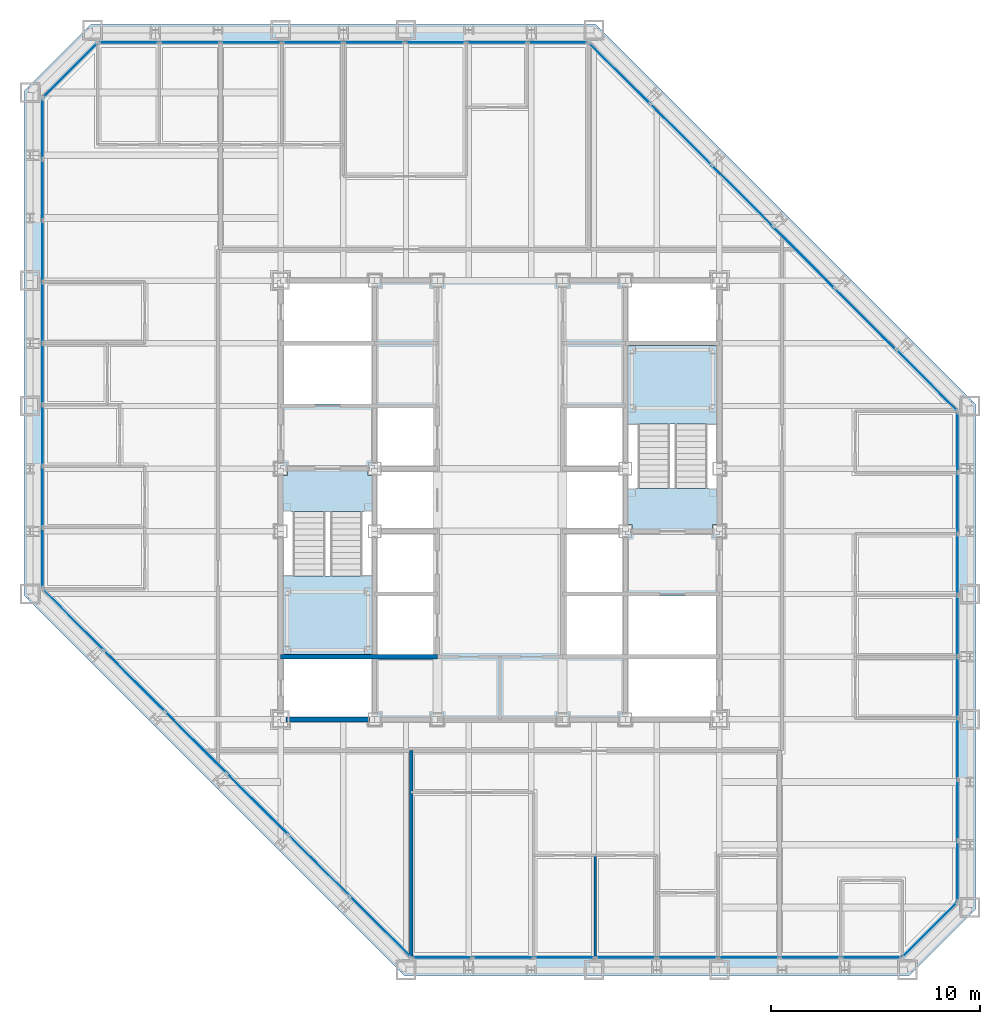
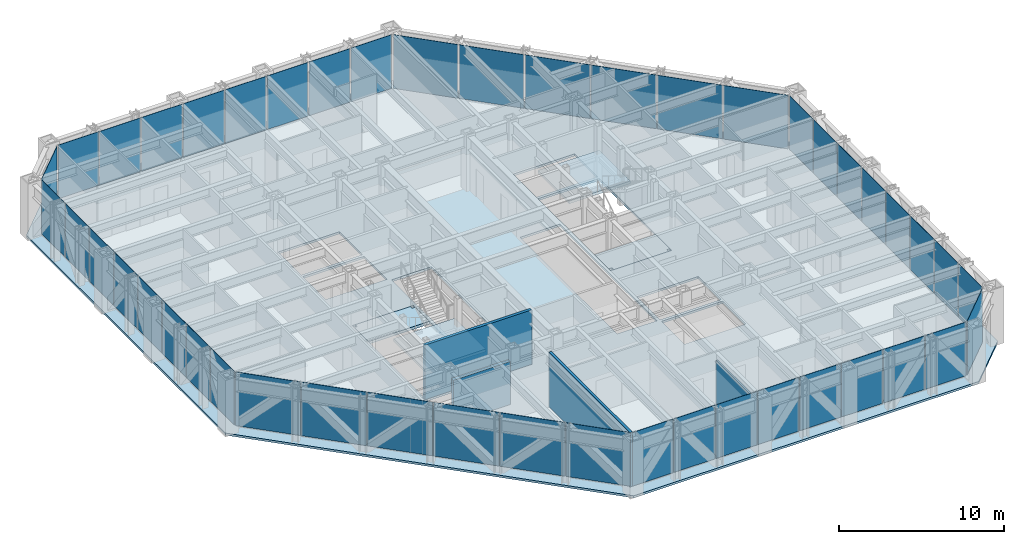
# One storey, part 9 of 16: 46 plates, 5 slabs, 4 walls, 10 elements without a shape of their own.
"""IFC4 building model written with IfcOpenShell, lengths in metres."""

import ifcopenshell
import ifcopenshell.guid

model = None  # the IFC model being written
_history = None  # IfcOwnerHistory: only IFC2X3 demands one
_inside = {}  # id of a spatial element -> (the spatial element, [elements in it])
_under = {}  # id of a project, library or spatial element -> (it, [spatial elements below it])
_declared = {}  # id of a project -> (the project, [libraries it declares])
_typed = {}  # id of a type object -> (the type object, [elements of that type])
_made_of = {}  # id of a material, layer set ... -> (it, [elements and type objects made of it])


def new_model(schema):
    """Start an empty IFC model of exactly this schema.

    Asked for "IFC4X3", IfcOpenShell would pick the latest addendum, in which some entities
    have other attributes; the version numbers below select the first issue.
    IFC2X3 requires an IfcOwnerHistory on every rooted entity: one is made here for all.
    """
    global model, _history
    if schema == "IFC4X3":
        model = ifcopenshell.file(schema_version=(4, 3, 0, 0))
    else:
        model = ifcopenshell.file(schema=schema)
    _inside.clear()
    _under.clear()
    _declared.clear()
    _typed.clear()
    _made_of.clear()
    _history = None
    if model.schema == "IFC2X3":
        org = make("IfcOrganization", Name="unknown")
        user = make(
            "IfcPersonAndOrganization",
            ThePerson=make("IfcPerson", FamilyName="unknown"),
            TheOrganization=org,
        )
        app = make(
            "IfcApplication",
            ApplicationDeveloper=org,
            Version="unknown",
            ApplicationFullName="unknown",
            ApplicationIdentifier="unknown",
        )
        _history = make(
            "IfcOwnerHistory",
            OwningUser=user,
            OwningApplication=app,
            ChangeAction="ADDED",
            CreationDate=0,
        )
    return model


def make(cls, **values):
    """One entity of the class cls with the attributes given. An attribute that is None is left unset."""
    return model.create_entity(
        cls, **{name: value for name, value in values.items() if value is not None}
    )


def rooted(cls, **values):
    """An entity with a GlobalId (a new one), such as an element, a storey or a relation."""
    return make(cls, GlobalId=ifcopenshell.guid.new(), OwnerHistory=_history, **values)


def si_unit(unit_type, name, prefix=None):
    """IfcSIUnit, for example si_unit("LENGTHUNIT", "METRE", prefix="MILLI")."""
    return make("IfcSIUnit", UnitType=unit_type, Prefix=prefix, Name=name)


def assignment(units):
    """IfcUnitAssignment: the units of a project."""
    return None if units is None else make("IfcUnitAssignment", Units=units)


def point(xyz):
    """IfcCartesianPoint."""
    return None if xyz is None else make("IfcCartesianPoint", Coordinates=xyz)


def direction(xyz):
    """IfcDirection."""
    return None if xyz is None else make("IfcDirection", DirectionRatios=xyz)


def frame(location, z_axis=None, x_axis=None):
    """IfcAxis2Placement3D, a coordinate frame: its origin and axes. An axis left out is left unset."""
    return make(
        "IfcAxis2Placement3D",
        Location=point(location),
        Axis=direction(z_axis),
        RefDirection=direction(x_axis),
    )


def frame_2d(location, x_axis=None):
    """IfcAxis2Placement2D, a coordinate frame in the plane: its origin and x axis."""
    return make(
        "IfcAxis2Placement2D", Location=point(location), RefDirection=direction(x_axis)
    )


def origin():
    """The frame at (0, 0, 0) with its axes left unset."""
    return frame((0.0, 0.0, 0.0))


def origin_2d():
    """The frame at (0, 0) in the plane with its x axis left unset."""
    return frame_2d((0.0, 0.0))


def place(relative_to, where):
    """IfcLocalPlacement: puts the frame where relative to a parent placement (None: the world)."""
    return make(
        "IfcLocalPlacement", PlacementRelTo=relative_to, RelativePlacement=where
    )


def context(
    kind, dimensions, precision=None, world=None, true_north=None, identifier=None
):
    """IfcGeometricRepresentationContext, for example the 3D "Model" context."""
    return make(
        "IfcGeometricRepresentationContext",
        ContextIdentifier=identifier,
        ContextType=kind,
        CoordinateSpaceDimension=dimensions,
        Precision=precision,
        WorldCoordinateSystem=world,
        TrueNorth=true_north,
    )


def subcontext(parent, identifier, kind, view, scale=None):
    """IfcGeometricRepresentationSubContext, for example "Body" below "Model"."""
    return make(
        "IfcGeometricRepresentationSubContext",
        ContextIdentifier=identifier,
        ContextType=kind,
        ParentContext=parent,
        TargetScale=scale,
        TargetView=view,
    )


def project(units=None, contexts=None):
    """IfcProject with its units and contexts."""
    return rooted(
        "IfcProject",
        Name="project",
        RepresentationContexts=contexts,
        UnitsInContext=assignment(units),
    )


def spatial(cls, under=None, at=None, **own):
    """A site, building, storey or space (cls), placed at a placement, below another one or the project."""
    s = rooted(cls, ObjectPlacement=at, **own)
    if under is not None:
        _under.setdefault(under.id(), (under, []))[1].append(s)
    return s


def polyline(points):
    """IfcPolyline through the points."""
    return make("IfcPolyline", Points=[point(p) for p in points])


def profile(cls, at=None, kind="AREA", **sizes):
    """A parametric profile (cls). Its sizes go by their IFC names, for example OverallWidth=200.0."""
    return make(cls, ProfileType=kind, Position=at, **sizes)


def rectangle(**sizes):
    """IfcRectangleProfileDef."""
    return profile("IfcRectangleProfileDef", **sizes)


def outline(outer, holes=None, kind="AREA"):
    """IfcArbitraryClosedProfileDef: a profile drawn as a closed curve; with holes, ...WithVoids."""
    if holes is None:
        return make("IfcArbitraryClosedProfileDef", ProfileType=kind, OuterCurve=outer)
    return make(
        "IfcArbitraryProfileDefWithVoids",
        ProfileType=kind,
        OuterCurve=outer,
        InnerCurves=holes,
    )


def extrude(swept, where, along, depth):
    """IfcExtrudedAreaSolid: the profile swept, set in the frame where, extruded along a direction by depth."""
    return make(
        "IfcExtrudedAreaSolid",
        SweptArea=swept,
        Position=where,
        ExtrudedDirection=direction(along),
        Depth=depth,
    )


def shape(context_of_items, identifier, shape_type, items):
    """IfcShapeRepresentation: the items that make up one representation, for example the "Body"."""
    return make(
        "IfcShapeRepresentation",
        ContextOfItems=context_of_items,
        RepresentationIdentifier=identifier,
        RepresentationType=shape_type,
        Items=items,
    )


def material(Name=None, Category=None):
    """IfcMaterial."""
    return make("IfcMaterial", Name=Name, Category=Category)


def layer(
    of_material, thickness, ventilated=None, Name=None, Category=None, Priority=None
):
    """IfcMaterialLayer: one layer of a wall or slab, of a material (None: an air gap)."""
    return make(
        "IfcMaterialLayer",
        Material=of_material,
        LayerThickness=thickness,
        IsVentilated=ventilated,
        Name=Name,
        Category=Category,
        Priority=Priority,
    )


def layer_set(layers, Name=None):
    """IfcMaterialLayerSet."""
    return make("IfcMaterialLayerSet", MaterialLayers=layers, LayerSetName=Name)


def made_of(thing, what):
    """Note that an element or type object is made of a material, layer set ...; save() writes the relation."""
    if what is not None:
        _made_of.setdefault(what.id(), (what, []))[1].append(thing)
    return thing


def type_object(cls, material=None, **own):
    """A type object (cls), such as IfcWallType, which elements share."""
    return made_of(rooted(cls, **own), material)


def element(
    cls,
    number,
    at=None,
    inside=None,
    cuts=None,
    type_object=None,
    material=None,
    context=None,
    identifier="Body",
    shape_type=None,
    held_by="IfcProductDefinitionShape",
    body=None,
    shapes=None,
    **own,
):
    """One element of the class cls, such as IfcWall. Its Tag is "e" and its number.

    at: its placement. inside: the storey or other place that contains it. cuts: it is an
    opening in that element (IfcRelVoidsElement). A single representation is given by context,
    identifier, shape_type and body (its items); several are given by shapes. held_by: the class
    of the entity that holds the representations. save() writes the other relations.
    """
    e = rooted(cls, Tag="e%d" % number, ObjectPlacement=at, **own)
    if body is not None:
        shapes = [shape(context, identifier, shape_type, body)]
    if shapes is not None:
        e.Representation = make(held_by, Representations=shapes)
    if inside is not None:
        _inside.setdefault(inside.id(), (inside, []))[1].append(e)
    if cuts is not None:
        rooted(
            "IfcRelVoidsElement", RelatingBuildingElement=cuts, RelatedOpeningElement=e
        )
    if type_object is not None:
        _typed.setdefault(type_object.id(), (type_object, []))[1].append(e)
    return made_of(e, material)


def aggregate(whole, parts):
    """IfcRelAggregates: a whole, such as a stair, and the parts it consists of."""
    return rooted("IfcRelAggregates", RelatingObject=whole, RelatedObjects=parts)


def save(model, path):
    """Write the relations noted so far, then the file.

    IfcRelAggregates (storeys below a building ...), IfcRelContainedInSpatialStructure (elements
    in a storey), IfcRelDefinesByType, IfcRelAssociatesMaterial and IfcRelDeclares: one each for
    every whole, place, type object, material and project.
    """
    for whole, parts in _under.values():
        aggregate(whole, parts)
    for where, things in _inside.values():
        rooted(
            "IfcRelContainedInSpatialStructure",
            RelatedElements=things,
            RelatingStructure=where,
        )
    for kind, things in _typed.values():
        rooted("IfcRelDefinesByType", RelatedObjects=things, RelatingType=kind)
    for what, things in _made_of.values():
        rooted("IfcRelAssociatesMaterial", RelatedObjects=things, RelatingMaterial=what)
    for by, libraries in _declared.values():
        rooted("IfcRelDeclares", RelatingContext=by, RelatedDefinitions=libraries)
    model.write(path)


model = new_model("IFC4")

# Units and contexts
model_context = context("Model", 3, precision=1e-05, world=origin(), true_north=direction((0.0, 1.0)))
body_context = subcontext(model_context, "Body", "Model", "MODEL_VIEW")
ifc_project = project(units=[si_unit("LENGTHUNIT", "METRE"), si_unit("AREAUNIT", "SQUARE_METRE"), si_unit("VOLUMEUNIT", "CUBIC_METRE"), si_unit("PLANEANGLEUNIT", "RADIAN"), si_unit("MASSUNIT", "GRAM", prefix="KILO")], contexts=[model_context])

# Site, building, storey
site_placement = place(None, origin())
site = spatial("IfcSite", under=ifc_project, at=site_placement, CompositionType="ELEMENT")
building_placement = place(site_placement, origin())
building = spatial("IfcBuilding", under=site, at=building_placement, Name="Chuquiago Exchange Tower", CompositionType="ELEMENT")
storey_placement = place(building_placement, frame((0.0, 0.0, 144.60009765625)))
storey = spatial("IfcBuildingStorey", under=building, at=storey_placement, Name="L31", CompositionType="ELEMENT", Elevation=144.60009765625)

# Curtain wall, plates
ifc_material_1 = material(Name="Aluminium curtain wall system", Category="aluminium")
ifc_layer_1 = layer(ifc_material_1, 0.22509765625)
ifc_layer_set_1 = layer_set([ifc_layer_1], Name="CW2 office curtain wall")
curtain_wall_type_1 = type_object("IfcCurtainWallType", Name="CW2 office curtain wall", PredefinedType="NOTDEFINED", material=ifc_layer_set_1)
curtain_wall_1_placement = place(storey_placement, origin())
curtain_wall_1 = element("IfcCurtainWall", 1, at=curtain_wall_1_placement, inside=storey, type_object=curtain_wall_type_1, Name="CW2 curtain wall L31", PredefinedType="NOTDEFINED")
ifc_material_2 = material(Name="Glass, insulating unit", Category="glass")
ifc_layer_2 = layer(ifc_material_2, 0.030029296875)
ifc_layer_set_2 = layer_set([ifc_layer_2], Name="CW2-P panel 30")
plate_type_1 = type_object("IfcPlateType", Name="CW2-P panel 30", PredefinedType="CURTAIN_PANEL", material=ifc_layer_set_2)
plate_1_placement = place(storey_placement, frame((25.59326171875, 0.60009765625, 0.06494140625), z_axis=(0.0, 0.0, 1.0), x_axis=(1.0, 0.0, 0.0)))
plate_1 = element("IfcPlate", 2, at=plate_1_placement, type_object=plate_type_1, Name="CW2 panel 3.1", PredefinedType="CURTAIN_PANEL", context=body_context, shape_type="SweptSolid", body=[
    extrude(rectangle(XDim=2.872802734375, YDim=0.030029296875, at=origin_2d()), origin(), (0.0, 0.0, 1.0), 3.97509765625),
])
plate_2_placement = place(storey_placement, frame((34.40673828125, 0.60009765625, 0.06494140625), z_axis=(0.0, 0.0, 1.0), x_axis=(1.0, 0.0, 0.0)))
plate_2 = element("IfcPlate", 3, at=plate_2_placement, type_object=plate_type_1, Name="CW2 panel 6.1", PredefinedType="CURTAIN_PANEL", context=body_context, shape_type="SweptSolid", body=[
    extrude(rectangle(XDim=2.872802734375, YDim=0.030029296875, at=origin_2d()), origin(), (0.0, 0.0, 1.0), 3.97509765625),
])

curtain_wall_2_placement = place(storey_placement, origin())
curtain_wall_2 = element("IfcCurtainWall", 4, at=curtain_wall_2_placement, inside=storey, type_object=curtain_wall_type_1, Name="CW2 curtain wall L31", PredefinedType="NOTDEFINED")
plate_3_placement = place(storey_placement, frame((44.39990234375, 10.59326171875, 0.06494140625), z_axis=(0.0, 0.0, 1.0), x_axis=(0.0, 1.0, 0.0)))
plate_3 = element("IfcPlate", 5, at=plate_3_placement, type_object=plate_type_1, Name="CW2 panel 3.1", PredefinedType="CURTAIN_PANEL", context=body_context, shape_type="SweptSolid", body=[
    extrude(rectangle(XDim=2.872802734375, YDim=0.030029296875, at=origin_2d()), origin(), (0.0, 0.0, 1.0), 3.97509765625),
])
plate_4_placement = place(storey_placement, frame((44.39990234375, 19.40673828125, 0.06494140625), z_axis=(0.0, 0.0, 1.0), x_axis=(0.0, 1.0, 0.0)))
plate_4 = element("IfcPlate", 6, at=plate_4_placement, type_object=plate_type_1, Name="CW2 panel 6.1", PredefinedType="CURTAIN_PANEL", context=body_context, shape_type="SweptSolid", body=[
    extrude(rectangle(XDim=2.872802734375, YDim=0.030029296875, at=origin_2d()), origin(), (0.0, 0.0, 1.0), 3.97509765625),
])

curtain_wall_3_placement = place(storey_placement, origin())
curtain_wall_3 = element("IfcCurtainWall", 7, at=curtain_wall_3_placement, inside=storey, type_object=curtain_wall_type_1, Name="CW2 curtain wall L31", PredefinedType="NOTDEFINED")
plate_5_placement = place(storey_placement, frame((19.40673828125, 44.39990234375, 0.06494140625), z_axis=(0.0, 0.0, 1.0), x_axis=(-1.0, 0.0, 0.0)))
plate_5 = element("IfcPlate", 8, at=plate_5_placement, type_object=plate_type_1, Name="CW2 panel 3.1", PredefinedType="CURTAIN_PANEL", context=body_context, shape_type="SweptSolid", body=[
    extrude(rectangle(XDim=2.872802734375, YDim=0.030029296875, at=origin_2d()), origin(), (0.0, 0.0, 1.0), 3.97509765625),
])
plate_6_placement = place(storey_placement, frame((10.59326171875, 44.39990234375, 0.06494140625), z_axis=(0.0, 0.0, 1.0), x_axis=(-1.0, 0.0, 0.0)))
plate_6 = element("IfcPlate", 9, at=plate_6_placement, type_object=plate_type_1, Name="CW2 panel 6.1", PredefinedType="CURTAIN_PANEL", context=body_context, shape_type="SweptSolid", body=[
    extrude(rectangle(XDim=2.872802734375, YDim=0.030029296875, at=origin_2d()), origin(), (0.0, 0.0, 1.0), 3.97509765625),
])

curtain_wall_4_placement = place(storey_placement, origin())
curtain_wall_4 = element("IfcCurtainWall", 10, at=curtain_wall_4_placement, inside=storey, type_object=curtain_wall_type_1, Name="CW2 curtain wall L31", PredefinedType="NOTDEFINED")
plate_7_placement = place(storey_placement, frame((0.60009765625, 34.40673828125, 0.06494140625), z_axis=(0.0, 0.0, 1.0), x_axis=(0.0, -1.0, 0.0)))
plate_7 = element("IfcPlate", 11, at=plate_7_placement, type_object=plate_type_1, Name="CW2 panel 3.1", PredefinedType="CURTAIN_PANEL", context=body_context, shape_type="SweptSolid", body=[
    extrude(rectangle(XDim=2.872802734375, YDim=0.030029296875, at=origin_2d()), origin(), (0.0, 0.0, 1.0), 3.97509765625),
])
plate_8_placement = place(storey_placement, frame((0.60009765625, 25.59326171875, 0.06494140625), z_axis=(0.0, 0.0, 1.0), x_axis=(0.0, -1.0, 0.0)))
plate_8 = element("IfcPlate", 12, at=plate_8_placement, type_object=plate_type_1, Name="CW2 panel 6.1", PredefinedType="CURTAIN_PANEL", context=body_context, shape_type="SweptSolid", body=[
    extrude(rectangle(XDim=2.872802734375, YDim=0.030029296875, at=origin_2d()), origin(), (0.0, 0.0, 1.0), 3.97509765625),
])

# Plate
ifc_material_3 = material(Name="Insulated spandrel panel, pale anodised aluminium", Category="aluminium")
ifc_layer_3 = layer(ifc_material_3, 0.030029296875)
ifc_layer_set_3 = layer_set([ifc_layer_3], Name="CW2-P spandrel panel 30")
plate_type_2 = type_object("IfcPlateType", Name="CW2-P spandrel panel 30", PredefinedType="CURTAIN_PANEL", material=ifc_layer_set_3)
plate_9_placement = place(storey_placement, frame((19.733642578125, 0.60009765625, 0.06494140625), z_axis=(0.0, 0.0, 1.0), x_axis=(1.0, 0.0, 0.0)))
plate_9 = element("IfcPlate", 13, at=plate_9_placement, type_object=plate_type_2, Name="CW2 panel 1.1", PredefinedType="CURTAIN_PANEL", context=body_context, shape_type="SweptSolid", body=[
    extrude(rectangle(XDim=2.84033203125, YDim=0.030029296875, at=origin_2d()), origin(), (0.0, 0.0, 1.0), 3.97509765625),
])

plate_10_placement = place(storey_placement, frame((22.6552734375, 0.60009765625, 0.06494140625), z_axis=(0.0, 0.0, 1.0), x_axis=(1.0, 0.0, 0.0)))
plate_10 = element("IfcPlate", 14, at=plate_10_placement, type_object=plate_type_2, Name="CW2 panel 2.1", PredefinedType="CURTAIN_PANEL", context=body_context, shape_type="SweptSolid", body=[
    extrude(rectangle(XDim=2.872802734375, YDim=0.030029296875, at=origin_2d()), origin(), (0.0, 0.0, 1.0), 3.97509765625),
])

plate_11_placement = place(storey_placement, frame((28.531005859375, 0.60009765625, 0.06494140625), z_axis=(0.0, 0.0, 1.0), x_axis=(1.0, 0.0, 0.0)))
plate_11 = element("IfcPlate", 15, at=plate_11_placement, type_object=plate_type_2, Name="CW2 panel 4.1", PredefinedType="CURTAIN_PANEL", context=body_context, shape_type="SweptSolid", body=[
    extrude(rectangle(XDim=2.872802734375, YDim=0.030029296875, at=origin_2d()), origin(), (0.0, 0.0, 1.0), 3.97509765625),
])

plate_12_placement = place(storey_placement, frame((31.468994140625, 0.60009765625, 0.06494140625), z_axis=(0.0, 0.0, 1.0), x_axis=(1.0, 0.0, 0.0)))
plate_12 = element("IfcPlate", 16, at=plate_12_placement, type_object=plate_type_2, Name="CW2 panel 5.1", PredefinedType="CURTAIN_PANEL", context=body_context, shape_type="SweptSolid", body=[
    extrude(rectangle(XDim=2.872802734375, YDim=0.030029296875, at=origin_2d()), origin(), (0.0, 0.0, 1.0), 3.97509765625),
])

plate_13_placement = place(storey_placement, frame((37.3447265625, 0.60009765625, 0.06494140625), z_axis=(0.0, 0.0, 1.0), x_axis=(1.0, 0.0, 0.0)))
plate_13 = element("IfcPlate", 17, at=plate_13_placement, type_object=plate_type_2, Name="CW2 panel 7.1", PredefinedType="CURTAIN_PANEL", context=body_context, shape_type="SweptSolid", body=[
    extrude(rectangle(XDim=2.872802734375, YDim=0.030029296875, at=origin_2d()), origin(), (0.0, 0.0, 1.0), 3.97509765625),
])

plate_14_placement = place(storey_placement, frame((40.266357421875, 0.60009765625, 0.06494140625), z_axis=(0.0, 0.0, 1.0), x_axis=(1.0, 0.0, 0.0)))
plate_14 = element("IfcPlate", 18, at=plate_14_placement, type_object=plate_type_2, Name="CW2 panel 8.1", PredefinedType="CURTAIN_PANEL", context=body_context, shape_type="SweptSolid", body=[
    extrude(rectangle(XDim=2.84033203125, YDim=0.030029296875, at=origin_2d()), origin(), (0.0, 0.0, 1.0), 3.97509765625),
])

aggregate(curtain_wall_1, [plate_9, plate_10, plate_1, plate_11, plate_12, plate_2, plate_13, plate_14])

plate_15_placement = place(storey_placement, frame((44.39990234375, 4.733642578125, 0.06494140625), z_axis=(0.0, 0.0, 1.0), x_axis=(0.0, 1.0, 0.0)))
plate_15 = element("IfcPlate", 19, at=plate_15_placement, type_object=plate_type_2, Name="CW2 panel 1.1", PredefinedType="CURTAIN_PANEL", context=body_context, shape_type="SweptSolid", body=[
    extrude(rectangle(XDim=2.84033203125, YDim=0.030029296875, at=origin_2d()), origin(), (0.0, 0.0, 1.0), 3.97509765625),
])

plate_16_placement = place(storey_placement, frame((44.39990234375, 7.6552734375, 0.06494140625), z_axis=(0.0, 0.0, 1.0), x_axis=(0.0, 1.0, 0.0)))
plate_16 = element("IfcPlate", 20, at=plate_16_placement, type_object=plate_type_2, Name="CW2 panel 2.1", PredefinedType="CURTAIN_PANEL", context=body_context, shape_type="SweptSolid", body=[
    extrude(rectangle(XDim=2.872802734375, YDim=0.030029296875, at=origin_2d()), origin(), (0.0, 0.0, 1.0), 3.97509765625),
])

plate_17_placement = place(storey_placement, frame((44.39990234375, 13.531005859375, 0.06494140625), z_axis=(0.0, 0.0, 1.0), x_axis=(0.0, 1.0, 0.0)))
plate_17 = element("IfcPlate", 21, at=plate_17_placement, type_object=plate_type_2, Name="CW2 panel 4.1", PredefinedType="CURTAIN_PANEL", context=body_context, shape_type="SweptSolid", body=[
    extrude(rectangle(XDim=2.872802734375, YDim=0.030029296875, at=origin_2d()), origin(), (0.0, 0.0, 1.0), 3.97509765625),
])

plate_18_placement = place(storey_placement, frame((44.39990234375, 16.468994140625, 0.06494140625), z_axis=(0.0, 0.0, 1.0), x_axis=(0.0, 1.0, 0.0)))
plate_18 = element("IfcPlate", 22, at=plate_18_placement, type_object=plate_type_2, Name="CW2 panel 5.1", PredefinedType="CURTAIN_PANEL", context=body_context, shape_type="SweptSolid", body=[
    extrude(rectangle(XDim=2.872802734375, YDim=0.030029296875, at=origin_2d()), origin(), (0.0, 0.0, 1.0), 3.97509765625),
])

plate_19_placement = place(storey_placement, frame((44.39990234375, 22.3447265625, 0.06494140625), z_axis=(0.0, 0.0, 1.0), x_axis=(0.0, 1.0, 0.0)))
plate_19 = element("IfcPlate", 23, at=plate_19_placement, type_object=plate_type_2, Name="CW2 panel 7.1", PredefinedType="CURTAIN_PANEL", context=body_context, shape_type="SweptSolid", body=[
    extrude(rectangle(XDim=2.872802734375, YDim=0.030029296875, at=origin_2d()), origin(), (0.0, 0.0, 1.0), 3.97509765625),
])

plate_20_placement = place(storey_placement, frame((44.39990234375, 25.266357421875, 0.06494140625), z_axis=(0.0, 0.0, 1.0), x_axis=(0.0, 1.0, 0.0)))
plate_20 = element("IfcPlate", 24, at=plate_20_placement, type_object=plate_type_2, Name="CW2 panel 8.1", PredefinedType="CURTAIN_PANEL", context=body_context, shape_type="SweptSolid", body=[
    extrude(rectangle(XDim=2.84033203125, YDim=0.030029296875, at=origin_2d()), origin(), (0.0, 0.0, 1.0), 3.97509765625),
])

aggregate(curtain_wall_2, [plate_15, plate_16, plate_3, plate_17, plate_18, plate_4, plate_19, plate_20])

plate_21_placement = place(storey_placement, frame((25.266357421875, 44.39990234375, 0.06494140625), z_axis=(0.0, 0.0, 1.0), x_axis=(-1.0, 0.0, 0.0)))
plate_21 = element("IfcPlate", 25, at=plate_21_placement, type_object=plate_type_2, Name="CW2 panel 1.1", PredefinedType="CURTAIN_PANEL", context=body_context, shape_type="SweptSolid", body=[
    extrude(rectangle(XDim=2.84033203125, YDim=0.030029296875, at=origin_2d()), origin(), (0.0, 0.0, 1.0), 3.97509765625),
])

plate_22_placement = place(storey_placement, frame((22.3447265625, 44.39990234375, 0.06494140625), z_axis=(0.0, 0.0, 1.0), x_axis=(-1.0, 0.0, 0.0)))
plate_22 = element("IfcPlate", 26, at=plate_22_placement, type_object=plate_type_2, Name="CW2 panel 2.1", PredefinedType="CURTAIN_PANEL", context=body_context, shape_type="SweptSolid", body=[
    extrude(rectangle(XDim=2.872802734375, YDim=0.030029296875, at=origin_2d()), origin(), (0.0, 0.0, 1.0), 3.97509765625),
])

plate_23_placement = place(storey_placement, frame((16.468994140625, 44.39990234375, 0.06494140625), z_axis=(0.0, 0.0, 1.0), x_axis=(-1.0, 0.0, 0.0)))
plate_23 = element("IfcPlate", 27, at=plate_23_placement, type_object=plate_type_2, Name="CW2 panel 4.1", PredefinedType="CURTAIN_PANEL", context=body_context, shape_type="SweptSolid", body=[
    extrude(rectangle(XDim=2.872802734375, YDim=0.030029296875, at=origin_2d()), origin(), (0.0, 0.0, 1.0), 3.97509765625),
])

plate_24_placement = place(storey_placement, frame((13.531005859375, 44.39990234375, 0.06494140625), z_axis=(0.0, 0.0, 1.0), x_axis=(-1.0, 0.0, 0.0)))
plate_24 = element("IfcPlate", 28, at=plate_24_placement, type_object=plate_type_2, Name="CW2 panel 5.1", PredefinedType="CURTAIN_PANEL", context=body_context, shape_type="SweptSolid", body=[
    extrude(rectangle(XDim=2.872802734375, YDim=0.030029296875, at=origin_2d()), origin(), (0.0, 0.0, 1.0), 3.97509765625),
])

plate_25_placement = place(storey_placement, frame((7.6552734375, 44.39990234375, 0.06494140625), z_axis=(0.0, 0.0, 1.0), x_axis=(-1.0, 0.0, 0.0)))
plate_25 = element("IfcPlate", 29, at=plate_25_placement, type_object=plate_type_2, Name="CW2 panel 7.1", PredefinedType="CURTAIN_PANEL", context=body_context, shape_type="SweptSolid", body=[
    extrude(rectangle(XDim=2.872802734375, YDim=0.030029296875, at=origin_2d()), origin(), (0.0, 0.0, 1.0), 3.97509765625),
])

plate_26_placement = place(storey_placement, frame((4.733642578125, 44.39990234375, 0.06494140625), z_axis=(0.0, 0.0, 1.0), x_axis=(-1.0, 0.0, 0.0)))
plate_26 = element("IfcPlate", 30, at=plate_26_placement, type_object=plate_type_2, Name="CW2 panel 8.1", PredefinedType="CURTAIN_PANEL", context=body_context, shape_type="SweptSolid", body=[
    extrude(rectangle(XDim=2.84033203125, YDim=0.030029296875, at=origin_2d()), origin(), (0.0, 0.0, 1.0), 3.97509765625),
])

aggregate(curtain_wall_3, [plate_21, plate_22, plate_5, plate_23, plate_24, plate_6, plate_25, plate_26])

plate_27_placement = place(storey_placement, frame((0.60009765625, 40.266357421875, 0.06494140625), z_axis=(0.0, 0.0, 1.0), x_axis=(0.0, -1.0, 0.0)))
plate_27 = element("IfcPlate", 31, at=plate_27_placement, type_object=plate_type_2, Name="CW2 panel 1.1", PredefinedType="CURTAIN_PANEL", context=body_context, shape_type="SweptSolid", body=[
    extrude(rectangle(XDim=2.84033203125, YDim=0.030029296875, at=origin_2d()), origin(), (0.0, 0.0, 1.0), 3.97509765625),
])

plate_28_placement = place(storey_placement, frame((0.60009765625, 37.3447265625, 0.06494140625), z_axis=(0.0, 0.0, 1.0), x_axis=(0.0, -1.0, 0.0)))
plate_28 = element("IfcPlate", 32, at=plate_28_placement, type_object=plate_type_2, Name="CW2 panel 2.1", PredefinedType="CURTAIN_PANEL", context=body_context, shape_type="SweptSolid", body=[
    extrude(rectangle(XDim=2.872802734375, YDim=0.030029296875, at=origin_2d()), origin(), (0.0, 0.0, 1.0), 3.97509765625),
])

plate_29_placement = place(storey_placement, frame((0.60009765625, 31.468994140625, 0.06494140625), z_axis=(0.0, 0.0, 1.0), x_axis=(0.0, -1.0, 0.0)))
plate_29 = element("IfcPlate", 33, at=plate_29_placement, type_object=plate_type_2, Name="CW2 panel 4.1", PredefinedType="CURTAIN_PANEL", context=body_context, shape_type="SweptSolid", body=[
    extrude(rectangle(XDim=2.872802734375, YDim=0.030029296875, at=origin_2d()), origin(), (0.0, 0.0, 1.0), 3.97509765625),
])

plate_30_placement = place(storey_placement, frame((0.60009765625, 28.531005859375, 0.06494140625), z_axis=(0.0, 0.0, 1.0), x_axis=(0.0, -1.0, 0.0)))
plate_30 = element("IfcPlate", 34, at=plate_30_placement, type_object=plate_type_2, Name="CW2 panel 5.1", PredefinedType="CURTAIN_PANEL", context=body_context, shape_type="SweptSolid", body=[
    extrude(rectangle(XDim=2.872802734375, YDim=0.030029296875, at=origin_2d()), origin(), (0.0, 0.0, 1.0), 3.97509765625),
])

plate_31_placement = place(storey_placement, frame((0.60009765625, 22.6552734375, 0.06494140625), z_axis=(0.0, 0.0, 1.0), x_axis=(0.0, -1.0, 0.0)))
plate_31 = element("IfcPlate", 35, at=plate_31_placement, type_object=plate_type_2, Name="CW2 panel 7.1", PredefinedType="CURTAIN_PANEL", context=body_context, shape_type="SweptSolid", body=[
    extrude(rectangle(XDim=2.872802734375, YDim=0.030029296875, at=origin_2d()), origin(), (0.0, 0.0, 1.0), 3.97509765625),
])

plate_32_placement = place(storey_placement, frame((0.60009765625, 19.733642578125, 0.06494140625), z_axis=(0.0, 0.0, 1.0), x_axis=(0.0, -1.0, 0.0)))
plate_32 = element("IfcPlate", 36, at=plate_32_placement, type_object=plate_type_2, Name="CW2 panel 8.1", PredefinedType="CURTAIN_PANEL", context=body_context, shape_type="SweptSolid", body=[
    extrude(rectangle(XDim=2.84033203125, YDim=0.030029296875, at=origin_2d()), origin(), (0.0, 0.0, 1.0), 3.97509765625),
])

aggregate(curtain_wall_4, [plate_27, plate_28, plate_7, plate_29, plate_30, plate_8, plate_31, plate_32])

# Curtain wall, plate
ifc_material_4 = material(Name="Aluminium curtain wall system", Category="aluminium")
ifc_layer_4 = layer(ifc_material_4, 0.199951171875)
ifc_layer_set_4 = layer_set([ifc_layer_4], Name="CW3 facet curtain wall")
curtain_wall_type_2 = type_object("IfcCurtainWallType", Name="CW3 facet curtain wall", PredefinedType="NOTDEFINED", material=ifc_layer_set_4)
curtain_wall_5_placement = place(storey_placement, origin())
curtain_wall_5 = element("IfcCurtainWall", 37, at=curtain_wall_5_placement, inside=storey, type_object=curtain_wall_type_2, Name="CW3 curtain wall L31", PredefinedType="NOTDEFINED")
ifc_material_5 = material(Name="Insulated spandrel panel, pale anodised aluminium", Category="aluminium")
ifc_layer_5 = layer(ifc_material_5, 0.030029296875)
ifc_layer_set_5 = layer_set([ifc_layer_5], Name="CW3-P spandrel panel 30")
plate_type_3 = type_object("IfcPlateType", Name="CW3-P spandrel panel 30", PredefinedType="CURTAIN_PANEL", material=ifc_layer_set_5)
plate_33_placement = place(storey_placement, frame((43.07568359375, 1.92431640625, 0.06494140625), z_axis=(0.0, 0.0, 1.0), x_axis=(0.707106781187, 0.707106781187, 0.0)))
plate_33 = element("IfcPlate", 38, at=plate_33_placement, type_object=plate_type_3, Name="CW3 panel 1.1", PredefinedType="CURTAIN_PANEL", context=body_context, shape_type="SweptSolid", body=[
    extrude(rectangle(XDim=3.615478515625, YDim=0.030029296875, at=origin_2d()), origin(), (0.0, 0.0, 1.0), 3.97509765625),
])
aggregate(curtain_wall_5, [plate_33])

# Curtain wall, plates
curtain_wall_6_placement = place(storey_placement, origin())
curtain_wall_6 = element("IfcCurtainWall", 39, at=curtain_wall_6_placement, inside=storey, type_object=curtain_wall_type_2, Name="CW3 curtain wall L31", PredefinedType="NOTDEFINED")
plate_34_placement = place(storey_placement, frame((42.917724609375, 28.233642578125, 0.06494140625), z_axis=(0.0, 0.0, 1.0), x_axis=(-0.707106781187, 0.707106781187, 0.0)))
plate_34 = element("IfcPlate", 40, at=plate_34_placement, type_object=plate_type_3, Name="CW3 panel 1.1", PredefinedType="CURTAIN_PANEL", context=body_context, shape_type="SweptSolid", body=[
    extrude(rectangle(XDim=4.062255859375, YDim=0.030029296875, at=origin_2d()), origin(), (0.0, 0.0, 1.0), 3.97509765625),
])
plate_35_placement = place(storey_placement, frame((39.98779296875, 31.16357421875, 0.06494140625), z_axis=(0.0, 0.0, 1.0), x_axis=(-0.707106781187, 0.707106781187, 0.0)))
plate_35 = element("IfcPlate", 41, at=plate_35_placement, type_object=plate_type_3, Name="CW3 panel 2.1", PredefinedType="CURTAIN_PANEL", context=body_context, shape_type="SweptSolid", body=[
    extrude(rectangle(XDim=4.0947265625, YDim=0.030029296875, at=origin_2d()), origin(), (0.0, 0.0, 1.0), 3.97509765625),
])
plate_36_placement = place(storey_placement, frame((37.04638671875, 34.10498046875, 0.06494140625), z_axis=(0.0, 0.0, 1.0), x_axis=(-0.707106781187, 0.707106781187, 0.0)))
plate_36 = element("IfcPlate", 42, at=plate_36_placement, type_object=plate_type_3, Name="CW3 panel 3.1", PredefinedType="CURTAIN_PANEL", context=body_context, shape_type="SweptSolid", body=[
    extrude(rectangle(XDim=4.0947265625, YDim=0.030029296875, at=origin_2d()), origin(), (0.0, 0.0, 1.0), 3.97509765625),
])
plate_37_placement = place(storey_placement, frame((34.10498046875, 37.04638671875, 0.06494140625), z_axis=(0.0, 0.0, 1.0), x_axis=(-0.707106781187, 0.707106781187, 0.0)))
plate_37 = element("IfcPlate", 43, at=plate_37_placement, type_object=plate_type_3, Name="CW3 panel 4.1", PredefinedType="CURTAIN_PANEL", context=body_context, shape_type="SweptSolid", body=[
    extrude(rectangle(XDim=4.0947265625, YDim=0.030029296875, at=origin_2d()), origin(), (0.0, 0.0, 1.0), 3.97509765625),
])
plate_38_placement = place(storey_placement, frame((31.16357421875, 39.98779296875, 0.06494140625), z_axis=(0.0, 0.0, 1.0), x_axis=(-0.707106781187, 0.707106781187, 0.0)))
plate_38 = element("IfcPlate", 44, at=plate_38_placement, type_object=plate_type_3, Name="CW3 panel 5.1", PredefinedType="CURTAIN_PANEL", context=body_context, shape_type="SweptSolid", body=[
    extrude(rectangle(XDim=4.0947265625, YDim=0.030029296875, at=origin_2d()), origin(), (0.0, 0.0, 1.0), 3.97509765625),
])
plate_39_placement = place(storey_placement, frame((28.233642578125, 42.917724609375, 0.06494140625), z_axis=(0.0, 0.0, 1.0), x_axis=(-0.707106781187, 0.707106781187, 0.0)))
plate_39 = element("IfcPlate", 45, at=plate_39_placement, type_object=plate_type_3, Name="CW3 panel 6.1", PredefinedType="CURTAIN_PANEL", context=body_context, shape_type="SweptSolid", body=[
    extrude(rectangle(XDim=4.062255859375, YDim=0.030029296875, at=origin_2d()), origin(), (0.0, 0.0, 1.0), 3.97509765625),
])
aggregate(curtain_wall_6, [plate_34, plate_35, plate_36, plate_37, plate_38, plate_39])

# Curtain wall, plate
curtain_wall_7_placement = place(storey_placement, origin())
curtain_wall_7 = element("IfcCurtainWall", 46, at=curtain_wall_7_placement, inside=storey, type_object=curtain_wall_type_2, Name="CW3 curtain wall L31", PredefinedType="NOTDEFINED")
plate_40_placement = place(storey_placement, frame((1.92431640625, 43.07568359375, 0.06494140625), z_axis=(0.0, 0.0, 1.0), x_axis=(-0.707106781187, -0.707106781187, 0.0)))
plate_40 = element("IfcPlate", 47, at=plate_40_placement, type_object=plate_type_3, Name="CW3 panel 1.1", PredefinedType="CURTAIN_PANEL", context=body_context, shape_type="SweptSolid", body=[
    extrude(rectangle(XDim=3.615478515625, YDim=0.030029296875, at=origin_2d()), origin(), (0.0, 0.0, 1.0), 3.97509765625),
])
aggregate(curtain_wall_7, [plate_40])

# Curtain wall, plates
curtain_wall_8_placement = place(storey_placement, origin())
curtain_wall_8 = element("IfcCurtainWall", 48, at=curtain_wall_8_placement, inside=storey, type_object=curtain_wall_type_2, Name="CW3 curtain wall L31", PredefinedType="NOTDEFINED")
plate_41_placement = place(storey_placement, frame((2.082275390625, 16.766357421875, 0.06494140625), z_axis=(0.0, 0.0, 1.0), x_axis=(0.707106781187, -0.707106781187, 0.0)))
plate_41 = element("IfcPlate", 49, at=plate_41_placement, type_object=plate_type_3, Name="CW3 panel 1.1", PredefinedType="CURTAIN_PANEL", context=body_context, shape_type="SweptSolid", body=[
    extrude(rectangle(XDim=4.062255859375, YDim=0.030029296875, at=origin_2d()), origin(), (0.0, 0.0, 1.0), 3.97509765625),
])
plate_42_placement = place(storey_placement, frame((5.01220703125, 13.83642578125, 0.06494140625), z_axis=(0.0, 0.0, 1.0), x_axis=(0.707106781187, -0.707106781187, 0.0)))
plate_42 = element("IfcPlate", 50, at=plate_42_placement, type_object=plate_type_3, Name="CW3 panel 2.1", PredefinedType="CURTAIN_PANEL", context=body_context, shape_type="SweptSolid", body=[
    extrude(rectangle(XDim=4.0947265625, YDim=0.030029296875, at=origin_2d()), origin(), (0.0, 0.0, 1.0), 3.97509765625),
])
plate_43_placement = place(storey_placement, frame((7.95361328125, 10.89501953125, 0.06494140625), z_axis=(0.0, 0.0, 1.0), x_axis=(0.707106781187, -0.707106781187, 0.0)))
plate_43 = element("IfcPlate", 51, at=plate_43_placement, type_object=plate_type_3, Name="CW3 panel 3.1", PredefinedType="CURTAIN_PANEL", context=body_context, shape_type="SweptSolid", body=[
    extrude(rectangle(XDim=4.0947265625, YDim=0.030029296875, at=origin_2d()), origin(), (0.0, 0.0, 1.0), 3.97509765625),
])
plate_44_placement = place(storey_placement, frame((10.89501953125, 7.95361328125, 0.06494140625), z_axis=(0.0, 0.0, 1.0), x_axis=(0.707106781187, -0.707106781187, 0.0)))
plate_44 = element("IfcPlate", 52, at=plate_44_placement, type_object=plate_type_3, Name="CW3 panel 4.1", PredefinedType="CURTAIN_PANEL", context=body_context, shape_type="SweptSolid", body=[
    extrude(rectangle(XDim=4.0947265625, YDim=0.030029296875, at=origin_2d()), origin(), (0.0, 0.0, 1.0), 3.97509765625),
])
plate_45_placement = place(storey_placement, frame((13.83642578125, 5.01220703125, 0.06494140625), z_axis=(0.0, 0.0, 1.0), x_axis=(0.707106781187, -0.707106781187, 0.0)))
plate_45 = element("IfcPlate", 53, at=plate_45_placement, type_object=plate_type_3, Name="CW3 panel 5.1", PredefinedType="CURTAIN_PANEL", context=body_context, shape_type="SweptSolid", body=[
    extrude(rectangle(XDim=4.0947265625, YDim=0.030029296875, at=origin_2d()), origin(), (0.0, 0.0, 1.0), 3.97509765625),
])
plate_46_placement = place(storey_placement, frame((16.766357421875, 2.082275390625, 0.06494140625), z_axis=(0.0, 0.0, 1.0), x_axis=(0.707106781187, -0.707106781187, 0.0)))
plate_46 = element("IfcPlate", 54, at=plate_46_placement, type_object=plate_type_3, Name="CW3 panel 6.1", PredefinedType="CURTAIN_PANEL", context=body_context, shape_type="SweptSolid", body=[
    extrude(rectangle(XDim=4.062255859375, YDim=0.030029296875, at=origin_2d()), origin(), (0.0, 0.0, 1.0), 3.97509765625),
])
aggregate(curtain_wall_8, [plate_41, plate_42, plate_43, plate_44, plate_45, plate_46])

# Slab
ifc_material_6 = material(Name="Concrete C30/37", Category="concrete")
ifc_layer_6 = layer(ifc_material_6, 0.159912109375)
ifc_layer_set_6 = layer_set([ifc_layer_6], Name="FS1 composite floor 160")
slab_type_1 = type_object("IfcSlabType", Name="FS1 composite floor 160", PredefinedType="FLOOR", material=ifc_layer_set_6)
slab_1_placement = place(storey_placement, frame((0.0, 0.0, -0.16015625)))
element("IfcSlab", 55, at=slab_1_placement, inside=storey, type_object=slab_type_1, Name="L31 floor slab", PredefinedType="FLOOR", context=body_context, shape_type="SweptSolid", body=[
    extrude(outline(polyline([(17.896484375, -0.25), (-0.25, 17.896484375), (-0.25, 42.103515625), (2.896484375, 45.25), (27.103515625, 45.25), (45.25, 27.103515625), (45.25, 2.896484375), (42.103515625, -0.25), (17.896484375, -0.25)]), holes=[polyline([(16.39990234375, 15.10009765625), (12.10009765625, 15.10009765625), (12.10009765625, 23.89990234375), (16.39990234375, 23.89990234375), (16.39990234375, 15.10009765625)]), polyline([(32.89990234375, 21.10009765625), (28.60009765625, 21.10009765625), (28.60009765625, 29.89990234375), (32.89990234375, 29.89990234375), (32.89990234375, 21.10009765625)]), polyline([(16.39990234375, 12.10009765625), (12.10009765625, 12.10009765625), (12.10009765625, 14.89990234375), (16.39990234375, 14.89990234375), (16.39990234375, 12.10009765625)]), polyline([(16.39990234375, 30.10009765625), (12.10009765625, 30.10009765625), (12.10009765625, 32.89990234375), (16.39990234375, 32.89990234375), (16.39990234375, 30.10009765625)]), polyline([(32.89990234375, 12.10009765625), (28.60009765625, 12.10009765625), (28.60009765625, 14.89990234375), (32.89990234375, 14.89990234375), (32.89990234375, 12.10009765625)]), polyline([(32.89990234375, 30.10009765625), (28.60009765625, 30.10009765625), (28.60009765625, 32.89990234375), (32.89990234375, 32.89990234375), (32.89990234375, 30.10009765625)]), polyline([(16.39990234375, 27.10009765625), (12.10009765625, 27.10009765625), (12.10009765625, 29.89990234375), (16.39990234375, 29.89990234375), (16.39990234375, 27.10009765625)]), polyline([(32.89990234375, 15.10009765625), (28.60009765625, 15.10009765625), (28.60009765625, 17.89990234375), (32.89990234375, 17.89990234375), (32.89990234375, 15.10009765625)]), polyline([(19.39990234375, 15.10009765625), (16.60009765625, 15.10009765625), (16.60009765625, 26.89990234375), (19.39990234375, 26.89990234375), (19.39990234375, 15.10009765625)]), polyline([(28.39990234375, 15.10009765625), (25.60009765625, 15.10009765625), (25.60009765625, 26.89990234375), (28.39990234375, 26.89990234375), (28.39990234375, 15.10009765625)])]), origin(), (0.0, 0.0, 1.0), 0.16015625),
])

# Stair, slabs
ifc_material_7 = material(Name="Concrete C30/37, precast", Category="concrete")
stair_type_1 = type_object("IfcStairType", Name="ST1 half-turn stair 4200", PredefinedType="HALF_TURN_STAIR", material=ifc_material_7)
stair_1_placement = place(storey_placement, origin())
stair_1 = element("IfcStair", 56, at=stair_1_placement, inside=storey, type_object=stair_type_1, Name="Stair ST1 L31", PredefinedType="HALF_TURN_STAIR")
ifc_material_8 = material(Name="Concrete C30/37, precast", Category="concrete")
ifc_layer_7 = layer(ifc_material_8, 0.199951171875)
ifc_layer_set_7 = layer_set([ifc_layer_7], Name="ST-L landing 200")
slab_type_2 = type_object("IfcSlabType", Name="ST-L landing 200", PredefinedType="LANDING", material=ifc_layer_set_7)
slab_2_placement = place(storey_placement, frame((0.0, 0.0, -0.2001953125)))
slab_2 = element("IfcSlab", 57, at=slab_2_placement, type_object=slab_type_2, Name="ST1 landing 1", PredefinedType="LANDING", context=body_context, shape_type="SweptSolid", body=[
    extrude(outline(polyline([(12.324951171875, 23.89990234375), (16.175048828125, 23.89990234375), (16.175048828125, 23.675048828125), (16.39990234375, 23.675048828125), (16.39990234375, 21.949951171875), (12.10009765625, 21.949951171875), (12.10009765625, 23.675048828125), (12.324951171875, 23.675048828125), (12.324951171875, 23.89990234375)])), origin(), (0.0, 0.0, 1.0), 0.2001953125),
])
slab_3_placement = place(storey_placement, frame((0.0, 0.0, 1.89990234375)))
slab_3 = element("IfcSlab", 58, at=slab_3_placement, type_object=slab_type_2, Name="ST1 landing 2", PredefinedType="LANDING", context=body_context, shape_type="SweptSolid", body=[
    extrude(outline(polyline([(12.10009765625, 18.8701171875), (16.39990234375, 18.8701171875), (16.39990234375, 15.10009765625), (12.10009765625, 15.10009765625), (12.10009765625, 18.8701171875)])), origin(), (0.0, 0.0, 1.0), 0.199951171875),
])
aggregate(stair_1, [slab_2, slab_3])

ifc_material_9 = material(Name="Concrete C30/37, precast", Category="concrete")
stair_type_2 = type_object("IfcStairType", Name="ST2 half-turn stair 4200", PredefinedType="HALF_TURN_STAIR", material=ifc_material_9)
stair_2_placement = place(storey_placement, origin())
stair_2 = element("IfcStair", 59, at=stair_2_placement, inside=storey, type_object=stair_type_2, Name="Stair ST2 L31", PredefinedType="HALF_TURN_STAIR")
slab_4_placement = place(storey_placement, frame((0.0, 0.0, -0.2001953125)))
slab_4 = element("IfcSlab", 60, at=slab_4_placement, type_object=slab_type_2, Name="ST2 landing 1", PredefinedType="LANDING", context=body_context, shape_type="SweptSolid", body=[
    extrude(outline(polyline([(32.675048828125, 21.324951171875), (32.675048828125, 21.10009765625), (28.824951171875, 21.10009765625), (28.824951171875, 21.324951171875), (28.60009765625, 21.324951171875), (28.60009765625, 23.050048828125), (32.89990234375, 23.050048828125), (32.89990234375, 21.324951171875), (32.675048828125, 21.324951171875)])), origin(), (0.0, 0.0, 1.0), 0.2001953125),
])
slab_5_placement = place(storey_placement, frame((0.0, 0.0, 1.89990234375)))
slab_5 = element("IfcSlab", 61, at=slab_5_placement, type_object=slab_type_2, Name="ST2 landing 2", PredefinedType="LANDING", context=body_context, shape_type="SweptSolid", body=[
    extrude(outline(polyline([(28.60009765625, 29.89990234375), (32.89990234375, 29.89990234375), (32.89990234375, 26.1298828125), (28.60009765625, 26.1298828125), (28.60009765625, 29.89990234375)])), origin(), (0.0, 0.0, 1.0), 0.199951171875),
])
aggregate(stair_2, [slab_4, slab_5])

# Walls
ifc_material_10 = material(Name="Concrete masonry, fully grouted", Category="masonry")
ifc_layer_8 = layer(ifc_material_10, 0.25)
ifc_layer_set_8 = layer_set([ifc_layer_8], Name="W1 core wall 250")
wall_type_1 = type_object("IfcWallType", Name="W1 core wall 250", PredefinedType="SOLIDWALL", material=ifc_layer_set_8)
wall_1_placement = place(storey_placement, frame((12.25, 12.0, 0.0), z_axis=(0.0, 0.0, 1.0), x_axis=(1.0, 0.0, 0.0)))
element("IfcWall", 62, at=wall_1_placement, inside=storey, type_object=wall_type_1, Name="CW-L31-01-0", PredefinedType="SOLIDWALL", context=body_context, shape_type="SweptSolid", body=[
    extrude(rectangle(XDim=4.0, YDim=0.25, at=frame_2d((2.0, 0.0))), origin(), (0.0, 0.0, 1.0), 3.181396484375),
])
ifc_material_11 = material(Name="Gypsum board on twin steel studs, acoustic insulation", Category="steel")
ifc_layer_9 = layer(ifc_material_11, 0.175048828125)
ifc_layer_set_9 = layer_set([ifc_layer_9], Name="W12 tenant demising wall 175")
wall_type_2 = type_object("IfcWallType", Name="W12 tenant demising wall 175", PredefinedType="PARTITIONING", material=ifc_layer_set_9)
wall_2_placement = place(storey_placement, frame((18.24853515625, 0.666015625, 0.0), z_axis=(0.0, 0.0, 1.0), x_axis=(0.0, 1.0, 0.0)))
element("IfcWall", 63, at=wall_2_placement, inside=storey, type_object=wall_type_2, Name="PW-L31-DS01825", PredefinedType="PARTITIONING", context=body_context, shape_type="SweptSolid", body=[
    extrude(rectangle(XDim=9.833984375, YDim=0.175048828125, at=frame_2d((4.9169921875, 0.0))), origin(), (0.0, 0.0, 1.0), 4.039794921875),
])
ifc_material_12 = material(Name="Concrete masonry, fully grouted", Category="masonry")
ifc_layer_10 = layer(ifc_material_12, 0.199951171875)
ifc_layer_set_10 = layer_set([ifc_layer_10], Name="W2 shaft wall 200")
wall_type_3 = type_object("IfcWallType", Name="W2 shaft wall 200", PredefinedType="SOLIDWALL", material=ifc_layer_set_10)
wall_3_placement = place(storey_placement, frame((12.0, 15.0, 0.0), z_axis=(0.0, 0.0, 1.0), x_axis=(1.0, 0.0, 0.0)))
element("IfcWall", 64, at=wall_3_placement, inside=storey, type_object=wall_type_3, Name="CW-L31-03-0", PredefinedType="SOLIDWALL", context=body_context, shape_type="SweptSolid", body=[
    extrude(rectangle(XDim=7.5, YDim=0.199951171875, at=frame_2d((3.75, 0.0))), origin(), (0.0, 0.0, 1.0), 4.039794921875),
])
ifc_material_13 = material(Name="Gypsum board on steel studs", Category="steel")
ifc_layer_11 = layer(ifc_material_13, 0.1201171875)
ifc_layer_set_11 = layer_set([ifc_layer_11], Name="W4 partition 120")
wall_type_4 = type_object("IfcWallType", Name="W4 partition 120", PredefinedType="PARTITIONING", material=ifc_layer_set_11)
wall_4_placement = place(storey_placement, frame((27.06201171875, 0.652587890625, 0.0), z_axis=(0.0, 0.0, 1.0), x_axis=(0.0, 1.0, 0.0)))
element("IfcWall", 65, at=wall_4_placement, inside=storey, type_object=wall_type_4, Name="PW-L31-S02706", PredefinedType="PARTITIONING", context=body_context, shape_type="SweptSolid", body=[
    extrude(rectangle(XDim=4.847412109375, YDim=0.1201171875, at=frame_2d((2.423828125, 0.0))), origin(), (0.0, 0.0, 1.0), 3.356689453125),
])

save(model, "model.ifc")
